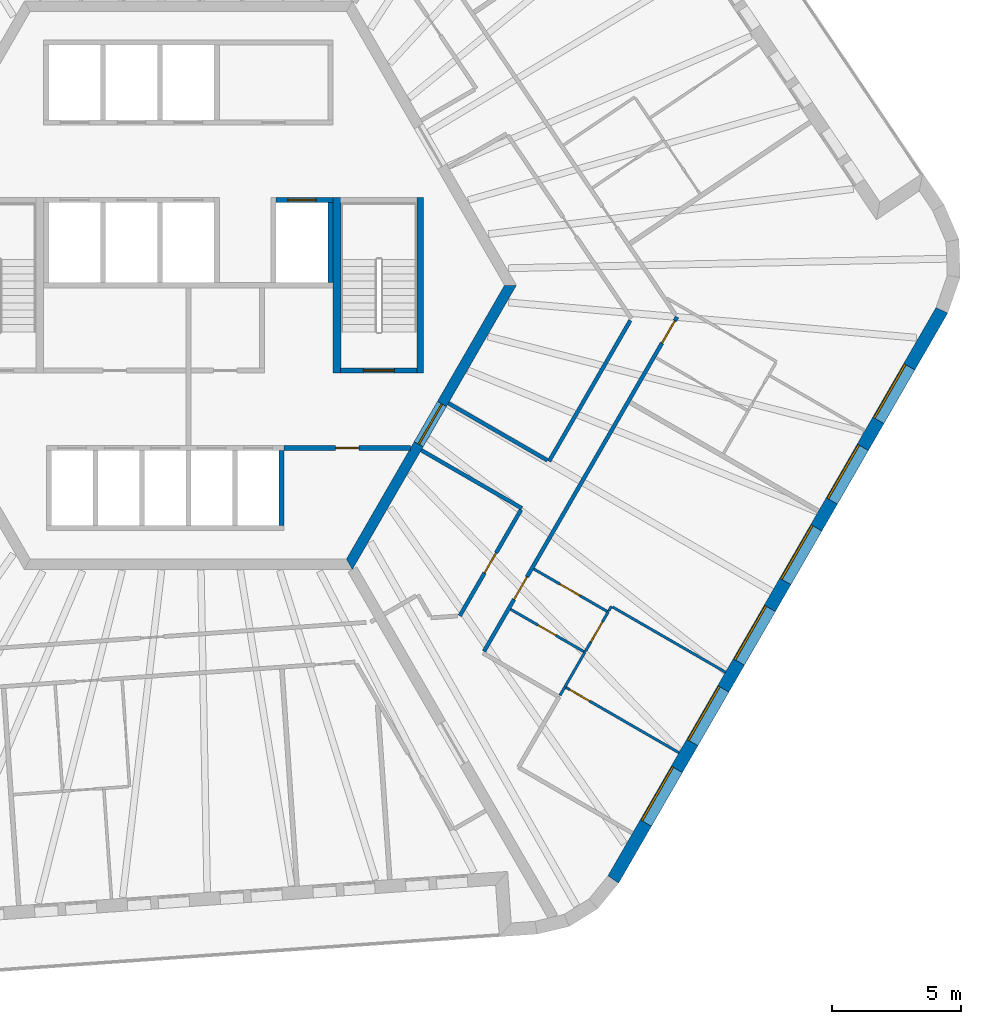
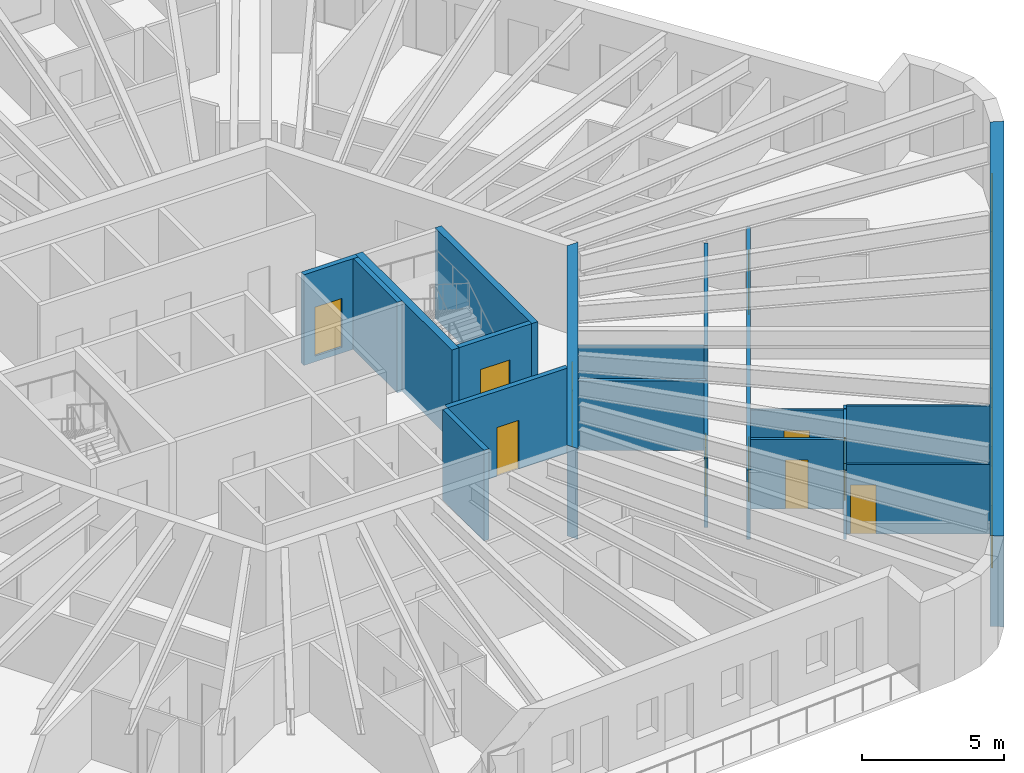
# One storey, part 6 of 12: 22 walls, 11 doors, 6 windows, 17 openings.
"""IFC4 building model written with IfcOpenShell, lengths in metres."""

import ifcopenshell
import ifcopenshell.guid

model = None  # the IFC model being written
_history = None  # IfcOwnerHistory: only IFC2X3 demands one
_inside = {}  # id of a spatial element -> (the spatial element, [elements in it])
_under = {}  # id of a project, library or spatial element -> (it, [spatial elements below it])
_declared = {}  # id of a project -> (the project, [libraries it declares])
_typed = {}  # id of a type object -> (the type object, [elements of that type])
_made_of = {}  # id of a material, layer set ... -> (it, [elements and type objects made of it])


def new_model(schema):
    """Start an empty IFC model of exactly this schema.

    Asked for "IFC4X3", IfcOpenShell would pick the latest addendum, in which some entities
    have other attributes; the version numbers below select the first issue.
    IFC2X3 requires an IfcOwnerHistory on every rooted entity: one is made here for all.
    """
    global model, _history
    if schema == "IFC4X3":
        model = ifcopenshell.file(schema_version=(4, 3, 0, 0))
    else:
        model = ifcopenshell.file(schema=schema)
    _inside.clear()
    _under.clear()
    _declared.clear()
    _typed.clear()
    _made_of.clear()
    _history = None
    if model.schema == "IFC2X3":
        org = make("IfcOrganization", Name="unknown")
        user = make(
            "IfcPersonAndOrganization",
            ThePerson=make("IfcPerson", FamilyName="unknown"),
            TheOrganization=org,
        )
        app = make(
            "IfcApplication",
            ApplicationDeveloper=org,
            Version="unknown",
            ApplicationFullName="unknown",
            ApplicationIdentifier="unknown",
        )
        _history = make(
            "IfcOwnerHistory",
            OwningUser=user,
            OwningApplication=app,
            ChangeAction="ADDED",
            CreationDate=0,
        )
    return model


def make(cls, **values):
    """One entity of the class cls with the attributes given. An attribute that is None is left unset."""
    return model.create_entity(
        cls, **{name: value for name, value in values.items() if value is not None}
    )


def rooted(cls, **values):
    """An entity with a GlobalId (a new one), such as an element, a storey or a relation."""
    return make(cls, GlobalId=ifcopenshell.guid.new(), OwnerHistory=_history, **values)


def si_unit(unit_type, name, prefix=None):
    """IfcSIUnit, for example si_unit("LENGTHUNIT", "METRE", prefix="MILLI")."""
    return make("IfcSIUnit", UnitType=unit_type, Prefix=prefix, Name=name)


def assignment(units):
    """IfcUnitAssignment: the units of a project."""
    return None if units is None else make("IfcUnitAssignment", Units=units)


def point(xyz):
    """IfcCartesianPoint."""
    return None if xyz is None else make("IfcCartesianPoint", Coordinates=xyz)


def direction(xyz):
    """IfcDirection."""
    return None if xyz is None else make("IfcDirection", DirectionRatios=xyz)


def frame(location, z_axis=None, x_axis=None):
    """IfcAxis2Placement3D, a coordinate frame: its origin and axes. An axis left out is left unset."""
    return make(
        "IfcAxis2Placement3D",
        Location=point(location),
        Axis=direction(z_axis),
        RefDirection=direction(x_axis),
    )


def frame_2d(location, x_axis=None):
    """IfcAxis2Placement2D, a coordinate frame in the plane: its origin and x axis."""
    return make(
        "IfcAxis2Placement2D", Location=point(location), RefDirection=direction(x_axis)
    )


def origin():
    """The frame at (0, 0, 0) with its axes left unset."""
    return frame((0.0, 0.0, 0.0))


def place(relative_to, where):
    """IfcLocalPlacement: puts the frame where relative to a parent placement (None: the world)."""
    return make(
        "IfcLocalPlacement", PlacementRelTo=relative_to, RelativePlacement=where
    )


def context(
    kind, dimensions, precision=None, world=None, true_north=None, identifier=None
):
    """IfcGeometricRepresentationContext, for example the 3D "Model" context."""
    return make(
        "IfcGeometricRepresentationContext",
        ContextIdentifier=identifier,
        ContextType=kind,
        CoordinateSpaceDimension=dimensions,
        Precision=precision,
        WorldCoordinateSystem=world,
        TrueNorth=true_north,
    )


def subcontext(parent, identifier, kind, view, scale=None):
    """IfcGeometricRepresentationSubContext, for example "Body" below "Model"."""
    return make(
        "IfcGeometricRepresentationSubContext",
        ContextIdentifier=identifier,
        ContextType=kind,
        ParentContext=parent,
        TargetScale=scale,
        TargetView=view,
    )


def project(units=None, contexts=None):
    """IfcProject with its units and contexts."""
    return rooted(
        "IfcProject",
        Name="project",
        RepresentationContexts=contexts,
        UnitsInContext=assignment(units),
    )


def spatial(cls, under=None, at=None, **own):
    """A site, building, storey or space (cls), placed at a placement, below another one or the project."""
    s = rooted(cls, ObjectPlacement=at, **own)
    if under is not None:
        _under.setdefault(under.id(), (under, []))[1].append(s)
    return s


def polyline(points):
    """IfcPolyline through the points."""
    return make("IfcPolyline", Points=[point(p) for p in points])


def profile(cls, at=None, kind="AREA", **sizes):
    """A parametric profile (cls). Its sizes go by their IFC names, for example OverallWidth=200.0."""
    return make(cls, ProfileType=kind, Position=at, **sizes)


def rectangle(**sizes):
    """IfcRectangleProfileDef."""
    return profile("IfcRectangleProfileDef", **sizes)


def outline(outer, holes=None, kind="AREA"):
    """IfcArbitraryClosedProfileDef: a profile drawn as a closed curve; with holes, ...WithVoids."""
    if holes is None:
        return make("IfcArbitraryClosedProfileDef", ProfileType=kind, OuterCurve=outer)
    return make(
        "IfcArbitraryProfileDefWithVoids",
        ProfileType=kind,
        OuterCurve=outer,
        InnerCurves=holes,
    )


def extrude(swept, where, along, depth):
    """IfcExtrudedAreaSolid: the profile swept, set in the frame where, extruded along a direction by depth."""
    return make(
        "IfcExtrudedAreaSolid",
        SweptArea=swept,
        Position=where,
        ExtrudedDirection=direction(along),
        Depth=depth,
    )


def shape(context_of_items, identifier, shape_type, items):
    """IfcShapeRepresentation: the items that make up one representation, for example the "Body"."""
    return make(
        "IfcShapeRepresentation",
        ContextOfItems=context_of_items,
        RepresentationIdentifier=identifier,
        RepresentationType=shape_type,
        Items=items,
    )


def material(Name=None, Category=None):
    """IfcMaterial."""
    return make("IfcMaterial", Name=Name, Category=Category)


def layer(
    of_material, thickness, ventilated=None, Name=None, Category=None, Priority=None
):
    """IfcMaterialLayer: one layer of a wall or slab, of a material (None: an air gap)."""
    return make(
        "IfcMaterialLayer",
        Material=of_material,
        LayerThickness=thickness,
        IsVentilated=ventilated,
        Name=Name,
        Category=Category,
        Priority=Priority,
    )


def layer_set(layers, Name=None):
    """IfcMaterialLayerSet."""
    return make("IfcMaterialLayerSet", MaterialLayers=layers, LayerSetName=Name)


def made_of(thing, what):
    """Note that an element or type object is made of a material, layer set ...; save() writes the relation."""
    if what is not None:
        _made_of.setdefault(what.id(), (what, []))[1].append(thing)
    return thing


def type_object(cls, material=None, **own):
    """A type object (cls), such as IfcWallType, which elements share."""
    return made_of(rooted(cls, **own), material)


def element(
    cls,
    number,
    at=None,
    inside=None,
    cuts=None,
    type_object=None,
    material=None,
    context=None,
    identifier="Body",
    shape_type=None,
    held_by="IfcProductDefinitionShape",
    body=None,
    shapes=None,
    **own,
):
    """One element of the class cls, such as IfcWall. Its Tag is "e" and its number.

    at: its placement. inside: the storey or other place that contains it. cuts: it is an
    opening in that element (IfcRelVoidsElement). A single representation is given by context,
    identifier, shape_type and body (its items); several are given by shapes. held_by: the class
    of the entity that holds the representations. save() writes the other relations.
    """
    e = rooted(cls, Tag="e%d" % number, ObjectPlacement=at, **own)
    if body is not None:
        shapes = [shape(context, identifier, shape_type, body)]
    if shapes is not None:
        e.Representation = make(held_by, Representations=shapes)
    if inside is not None:
        _inside.setdefault(inside.id(), (inside, []))[1].append(e)
    if cuts is not None:
        rooted(
            "IfcRelVoidsElement", RelatingBuildingElement=cuts, RelatedOpeningElement=e
        )
    if type_object is not None:
        _typed.setdefault(type_object.id(), (type_object, []))[1].append(e)
    return made_of(e, material)


def fill(opening, filler):
    """IfcRelFillsElement: the door or window that sits in an opening."""
    return rooted(
        "IfcRelFillsElement",
        RelatingOpeningElement=opening,
        RelatedBuildingElement=filler,
    )


def aggregate(whole, parts):
    """IfcRelAggregates: a whole, such as a stair, and the parts it consists of."""
    return rooted("IfcRelAggregates", RelatingObject=whole, RelatedObjects=parts)


def save(model, path):
    """Write the relations noted so far, then the file.

    IfcRelAggregates (storeys below a building ...), IfcRelContainedInSpatialStructure (elements
    in a storey), IfcRelDefinesByType, IfcRelAssociatesMaterial and IfcRelDeclares: one each for
    every whole, place, type object, material and project.
    """
    for whole, parts in _under.values():
        aggregate(whole, parts)
    for where, things in _inside.values():
        rooted(
            "IfcRelContainedInSpatialStructure",
            RelatedElements=things,
            RelatingStructure=where,
        )
    for kind, things in _typed.values():
        rooted("IfcRelDefinesByType", RelatedObjects=things, RelatingType=kind)
    for what, things in _made_of.values():
        rooted("IfcRelAssociatesMaterial", RelatedObjects=things, RelatingMaterial=what)
    for by, libraries in _declared.values():
        rooted("IfcRelDeclares", RelatingContext=by, RelatedDefinitions=libraries)
    model.write(path)


model = new_model("IFC4")

# Units and contexts
model_context = context("Model", 3, precision=1e-05, world=origin(), true_north=direction((0.0, 1.0)))
body_context = subcontext(model_context, "Body", "Model", "MODEL_VIEW")
ifc_project = project(units=[si_unit("LENGTHUNIT", "METRE"), si_unit("AREAUNIT", "SQUARE_METRE"), si_unit("VOLUMEUNIT", "CUBIC_METRE"), si_unit("PLANEANGLEUNIT", "RADIAN"), si_unit("MASSUNIT", "GRAM", prefix="KILO")], contexts=[model_context])

# Site, building, storey
site_placement = place(None, origin())
site = spatial("IfcSite", under=ifc_project, at=site_placement, CompositionType="ELEMENT")
building_placement = place(site_placement, origin())
building = spatial("IfcBuilding", under=site, at=building_placement, Name="Tarnside Tower", CompositionType="ELEMENT")
storey_placement = place(building_placement, frame((0.0, 0.0, 306.89990234375)))
storey = spatial("IfcBuildingStorey", under=building, at=storey_placement, Name="L74", CompositionType="ELEMENT", Elevation=306.89990234375)

# Wall, opening, door
ifc_material_1 = material(Name="Gypsum board partition on steel studs", Category="steel")
ifc_layer_1 = layer(ifc_material_1, 0.10009765625)
ifc_layer_set_1 = layer_set([ifc_layer_1], Name="Bathroom wall 100")
wall_type_1 = type_object("IfcWallType", Name="Bathroom wall 100", PredefinedType="PARTITIONING", material=ifc_layer_set_1)
wall_1_placement = place(storey_placement, frame((12.47412109375, -12.544189453125, 0.0), z_axis=(0.0, 0.0, 1.0), x_axis=(0.866002163101, -0.500040251884, 0.0)))
wall_1 = element("IfcWall", 1, at=wall_1_placement, inside=storey, type_object=wall_type_1, Name="Bathroom wall 24146", PredefinedType="PARTITIONING", context=body_context, shape_type="SweptSolid", body=[
    extrude(rectangle(XDim=3.324951171875, YDim=0.10009765625, at=frame_2d((1.66259765625, 0.0))), origin(), (0.0, 0.0, 1.0), 2.98779296875),
])
opening_1_placement = place(wall_1_placement, frame((1.22509765625, 0.0, 0.0)))
opening_1 = element("IfcOpeningElement", 2, at=opening_1_placement, cuts=wall_1, Name="Opening D-B1", PredefinedType="OPENING", context=body_context, shape_type="SweptSolid", body=[
    extrude(rectangle(XDim=0.800048828125, YDim=2.10009765625, at=frame_2d((0.39990234375, 1.050048828125))), frame((0.0, 0.06005859375, 0.0), z_axis=(0.0, -1.0, 0.0), x_axis=(1.0, 0.0, 0.0)), (0.0, 0.0, 1.0), 0.1201171875),
])
ifc_material_2 = material(Name="Timber door leaf", Category="wood")
door_type_1 = type_object("IfcDoorType", Name="Bathroom door 800", OperationType="NOTDEFINED", PredefinedType="DOOR", material=ifc_material_2)
door_1_placement = place(opening_1_placement, origin())
door_1 = element("IfcDoor", 3, at=door_1_placement, inside=storey, type_object=door_type_1, Name="Bathroom door 24044", OperationType="SINGLE_SWING_RIGHT", OverallHeight=2.10009765625, OverallWidth=0.800048828125, PredefinedType="DOOR", context=body_context, shape_type="SweptSolid", body=[
    extrude(rectangle(XDim=0.800048828125, YDim=2.10009765625, at=frame_2d((0.39990234375, 1.050048828125))), frame((0.0, 0.02490234375, 0.0), z_axis=(0.0, -1.0, 0.0), x_axis=(1.0, 0.0, 0.0)), (0.0, 0.0, 1.0), 0.050048828125),
])
fill(opening_1, door_1)

# Walls
wall_2_placement = place(storey_placement, frame((14.39013671875, -15.87548828125, 0.0), z_axis=(0.0, 0.0, 1.0), x_axis=(0.500094824054, 0.865970650169, 0.0)))
element("IfcWall", 4, at=wall_2_placement, inside=storey, type_object=wall_type_1, Name="Bathroom wall 24148", PredefinedType="PARTITIONING", context=body_context, shape_type="SweptSolid", body=[
    extrude(rectangle(XDim=0.37841796875, YDim=0.10009765625, at=frame_2d((0.189208984375, 0.0))), origin(), (0.0, 0.0, 1.0), 2.98779296875),
])
wall_3_placement = place(storey_placement, frame((14.579345703125, -15.5478515625, 0.0), z_axis=(0.0, 0.0, 1.0), x_axis=(0.499949632511, 0.866054481515, 0.0)))
element("IfcWall", 5, at=wall_3_placement, inside=storey, type_object=wall_type_1, Name="Bathroom wall 24149", PredefinedType="PARTITIONING", context=body_context, shape_type="SweptSolid", body=[
    extrude(rectangle(XDim=1.550537109375, YDim=0.10009765625, at=frame_2d((0.775390625, 0.0))), origin(), (0.0, 0.0, 1.0), 2.98779296875),
])

# Wall, opening, door
ifc_material_3 = material(Name="Concrete C40/50", Category="concrete")
ifc_layer_2 = layer(ifc_material_3, 0.199951171875)
ifc_layer_set_2 = layer_set([ifc_layer_2], Name="Core room partition 200 C40/50")
wall_type_2 = type_object("IfcWallType", Name="Core room partition 200 C40/50", PredefinedType="PARTITIONING", material=ifc_layer_set_2)
wall_4_placement = place(storey_placement, frame((3.699951171875, -6.300048828125, 0.0), z_axis=(0.0, 0.0, 1.0), x_axis=(1.0, 0.0, 0.0)))
wall_4 = element("IfcWall", 6, at=wall_4_placement, inside=storey, type_object=wall_type_2, Name="L74 core partition R4X", PredefinedType="PARTITIONING", context=body_context, shape_type="SweptSolid", body=[
    extrude(rectangle(XDim=4.902587890625, YDim=0.199951171875, at=frame_2d((2.451171875, 0.0))), origin(), (0.0, 0.0, 1.0), 3.650146484375),
])
opening_2_placement = place(wall_4_placement, frame((2.001220703125, 0.0, 0.0)))
opening_2 = element("IfcOpeningElement", 7, at=opening_2_placement, cuts=wall_4, Name="Opening CD-room", PredefinedType="OPENING", context=body_context, shape_type="SweptSolid", body=[
    extrude(rectangle(XDim=0.89990234375, YDim=2.10009765625, at=frame_2d((0.449951171875, 1.050048828125))), frame((0.0, 0.10986328125, 0.0), z_axis=(0.0, -1.0, 0.0), x_axis=(1.0, 0.0, 0.0)), (0.0, 0.0, 1.0), 0.219970703125),
])
ifc_material_4 = material(Name="Steel fire door", Category="steel")
door_type_2 = type_object("IfcDoorType", Name="Room door FD60 900x2100", OperationType="NOTDEFINED", PredefinedType="DOOR", material=ifc_material_4)
door_2_placement = place(opening_2_placement, origin())
door_2 = element("IfcDoor", 8, at=door_2_placement, inside=storey, type_object=door_type_2, Name="L74 core room door RX", OperationType="SINGLE_SWING_LEFT", OverallHeight=2.10009765625, OverallWidth=0.89990234375, PredefinedType="DOOR", context=body_context, shape_type="SweptSolid", body=[
    extrude(rectangle(XDim=0.89990234375, YDim=2.10009765625, at=frame_2d((0.449951171875, 1.050048828125))), frame((0.0, 0.02490234375, 0.0), z_axis=(0.0, -1.0, 0.0), x_axis=(1.0, 0.0, 0.0)), (0.0, 0.0, 1.0), 0.050048828125),
])
fill(opening_2, door_2)

ifc_material_5 = material(Name="Concrete C60/75", Category="concrete")
ifc_layer_3 = layer(ifc_material_5, 0.39990234375)
ifc_layer_set_3 = layer_set([ifc_layer_3], Name="Core wall Z3 400 C60/75")
wall_type_3 = type_object("IfcWallType", Name="Core wall Z3 400 C60/75", PredefinedType="SHEAR", material=ifc_layer_set_3)
wall_5_placement = place(storey_placement, frame((6.2353515625, -10.800048828125, -0.14990234375), z_axis=(0.0, 0.0, 1.0), x_axis=(0.499996419489, 0.866027470984, 0.0)))
wall_5 = element("IfcWall", 9, at=wall_5_placement, inside=storey, type_object=wall_type_3, Name="L74 core wall face 5", PredefinedType="SHEAR", context=body_context, shape_type="SweptSolid", body=[
    extrude(outline(polyline([(-0.115478515625, -0.199951171875), (12.586181640625, -0.199951171875), (12.355224609375, 0.199951171875), (0.115478515625, 0.199951171875), (-0.115478515625, -0.199951171875)])), origin(), (0.0, 0.0, 1.0), 3.89990234375),
])
opening_3_placement = place(wall_5_placement, frame((5.3642578125, 0.0, 0.14990234375)))
opening_3 = element("IfcOpeningElement", 10, at=opening_3_placement, cuts=wall_5, Name="Opening CD-FFL", PredefinedType="OPENING", context=body_context, shape_type="SweptSolid", body=[
    extrude(rectangle(XDim=1.800048828125, YDim=2.39990234375, at=frame_2d((0.89990234375, 1.199951171875))), frame((0.0, 0.2099609375, 0.0), z_axis=(0.0, -1.0, 0.0), x_axis=(1.0, 0.0, 0.0)), (0.0, 0.0, 1.0), 0.419921875),
])
door_type_3 = type_object("IfcDoorType", Name="Firefighting lobby double door FD60S 1800x2400", OperationType="NOTDEFINED", PredefinedType="DOOR", material=ifc_material_4)
door_3_placement = place(opening_3_placement, origin())
door_3 = element("IfcDoor", 11, at=door_3_placement, inside=storey, type_object=door_type_3, Name="L74 core door P4", OperationType="DOUBLE_DOOR_SINGLE_SWING", OverallHeight=2.39990234375, OverallWidth=1.800048828125, PredefinedType="DOOR", context=body_context, shape_type="SweptSolid", body=[
    extrude(rectangle(XDim=1.800048828125, YDim=2.39990234375, at=frame_2d((0.89990234375, 1.199951171875))), frame((0.0, 0.02490234375, 0.0), z_axis=(0.0, -1.0, 0.0), x_axis=(1.0, 0.0, 0.0)), (0.0, 0.0, 1.0), 0.050048828125),
])
fill(opening_3, door_3)

# Wall, openings, doors
ifc_layer_4 = layer(ifc_material_1, 0.14990234375)
ifc_layer_set_4 = layer_set([ifc_layer_4], Name="Corridor wall 150 EI 60")
wall_type_4 = type_object("IfcWallType", Name="Corridor wall 150 EI 60", PredefinedType="PARTITIONING", material=ifc_layer_set_4)
wall_6_placement = place(storey_placement, frame((11.446533203125, -14.173828125, 0.0), z_axis=(0.0, 0.0, 1.0), x_axis=(0.500003306199, 0.866023494941, 0.0)))
wall_6 = element("IfcWall", 12, at=wall_6_placement, inside=storey, type_object=wall_type_4, Name="Corridor wall 24054", PredefinedType="PARTITIONING", context=body_context, shape_type="SweptSolid", body=[
    extrude(rectangle(XDim=14.94921875, YDim=0.14990234375, at=frame_2d((7.474609375, 0.0))), origin(), (0.0, 0.0, 1.0), 2.98779296875),
])
opening_4_placement = place(wall_6_placement, frame((2.324951171875, 0.0, 0.0)))
opening_4 = element("IfcOpeningElement", 13, at=opening_4_placement, cuts=wall_6, Name="Opening D-E1", PredefinedType="OPENING", context=body_context, shape_type="SweptSolid", body=[
    extrude(rectangle(XDim=1.0, YDim=2.10009765625, at=frame_2d((0.5, 1.050048828125))), frame((0.0, 0.0849609375, 0.0), z_axis=(0.0, -1.0, 0.0), x_axis=(1.0, 0.0, 0.0)), (0.0, 0.0, 1.0), 0.169921875),
])
opening_5_placement = place(wall_6_placement, frame((13.7763671875, 0.0, 0.0)))
opening_5 = element("IfcOpeningElement", 14, at=opening_5_placement, cuts=wall_6, Name="Opening D-E1", PredefinedType="OPENING", context=body_context, shape_type="SweptSolid", body=[
    extrude(rectangle(XDim=1.0, YDim=2.10009765625, at=frame_2d((0.5, 1.050048828125))), frame((0.0, 0.0849609375, 0.0), z_axis=(0.0, -1.0, 0.0), x_axis=(1.0, 0.0, 0.0)), (0.0, 0.0, 1.0), 0.169921875),
])
door_type_4 = type_object("IfcDoorType", Name="Unit entrance door 1000 FD30S", OperationType="NOTDEFINED", PredefinedType="DOOR", material=ifc_material_2)
door_4_placement = place(opening_4_placement, origin())
door_4 = element("IfcDoor", 15, at=door_4_placement, inside=storey, type_object=door_type_4, Name="Unit door 24043", OperationType="SINGLE_SWING_LEFT", OverallHeight=2.10009765625, OverallWidth=1.0, PredefinedType="DOOR", context=body_context, shape_type="SweptSolid", body=[
    extrude(rectangle(XDim=1.0, YDim=2.10009765625, at=frame_2d((0.5, 1.050048828125))), frame((0.0, 0.02490234375, 0.0), z_axis=(0.0, -1.0, 0.0), x_axis=(1.0, 0.0, 0.0)), (0.0, 0.0, 1.0), 0.050048828125),
])
fill(opening_4, door_4)
door_5_placement = place(opening_5_placement, origin())
door_5 = element("IfcDoor", 16, at=door_5_placement, inside=storey, type_object=door_type_4, Name="Unit door 24050", OperationType="SINGLE_SWING_LEFT", OverallHeight=2.10009765625, OverallWidth=1.0, PredefinedType="DOOR", context=body_context, shape_type="SweptSolid", body=[
    extrude(rectangle(XDim=1.0, YDim=2.10009765625, at=frame_2d((0.5, 1.050048828125))), frame((0.0, 0.02490234375, 0.0), z_axis=(0.0, -1.0, 0.0), x_axis=(1.0, 0.0, 0.0)), (0.0, 0.0, 1.0), 0.050048828125),
])
fill(opening_5, door_5)

# Walls
wall_7_placement = place(storey_placement, frame((17.11181640625, -1.361572265625, 0.0), z_axis=(0.0, 0.0, 1.0), x_axis=(-0.49999985423, -0.866025487945, 0.0)))
element("IfcWall", 17, at=wall_7_placement, inside=storey, type_object=wall_type_4, Name="Corridor wall 24073", PredefinedType="PARTITIONING", context=body_context, shape_type="SweptSolid", body=[
    extrude(rectangle(XDim=6.2978515625, YDim=0.14990234375, at=frame_2d((3.14892578125, 0.0))), origin(), (0.0, 0.0, 1.0), 2.98779296875),
])
wall_8_placement = place(storey_placement, frame((13.89794921875, -6.778076171875, 0.0), z_axis=(0.0, 0.0, 1.0), x_axis=(-0.866041342403, 0.499972392486, 0.0)))
element("IfcWall", 18, at=wall_8_placement, inside=storey, type_object=wall_type_4, Name="Corridor wall 24074", PredefinedType="PARTITIONING", context=body_context, shape_type="SweptSolid", body=[
    extrude(rectangle(XDim=4.425048828125, YDim=0.14990234375, at=frame_2d((2.21240234375, 0.0))), origin(), (0.0, 0.0, 1.0), 2.98779296875),
])
wall_9_placement = place(storey_placement, frame((9.015625, -6.38427734375, 0.0), z_axis=(0.0, 0.0, 1.0), x_axis=(0.866031096941, -0.499990139034, 0.0)))
element("IfcWall", 19, at=wall_9_placement, inside=storey, type_object=wall_type_4, Name="Corridor wall 24075", PredefinedType="PARTITIONING", context=body_context, shape_type="SweptSolid", body=[
    extrude(rectangle(XDim=4.5, YDim=0.14990234375, at=frame_2d((2.25, 0.0))), origin(), (0.0, 0.0, 1.0), 2.98779296875),
])

# Wall, opening, door
wall_10_placement = place(storey_placement, frame((12.875244140625, -8.69921875, 0.0), z_axis=(0.0, 0.0, 1.0), x_axis=(-0.49999482868, -0.866028389427, 0.0)))
wall_10 = element("IfcWall", 20, at=wall_10_placement, inside=storey, type_object=wall_type_4, Name="Corridor wall 24076", PredefinedType="PARTITIONING", context=body_context, shape_type="SweptSolid", body=[
    extrude(rectangle(XDim=4.73291015625, YDim=0.14990234375, at=frame_2d((2.366455078125, 0.0))), origin(), (0.0, 0.0, 1.0), 2.98779296875),
])
opening_6_placement = place(wall_10_placement, frame((1.91650390625, 0.0, 0.0)))
opening_6 = element("IfcOpeningElement", 21, at=opening_6_placement, cuts=wall_10, Name="Opening D-S1", PredefinedType="OPENING", context=body_context, shape_type="SweptSolid", body=[
    extrude(rectangle(XDim=0.89990234375, YDim=2.10009765625, at=frame_2d((0.449951171875, 1.050048828125))), frame((0.0, 0.0849609375, 0.0), z_axis=(0.0, -1.0, 0.0), x_axis=(1.0, 0.0, 0.0)), (0.0, 0.0, 1.0), 0.169921875),
])
door_type_5 = type_object("IfcDoorType", Name="Service room door 900 FD30S", OperationType="NOTDEFINED", PredefinedType="DOOR", material=ifc_material_2)
door_6_placement = place(opening_6_placement, origin())
door_6 = element("IfcDoor", 22, at=door_6_placement, inside=storey, type_object=door_type_5, Name="Service door 24068", OperationType="SINGLE_SWING_LEFT", OverallHeight=2.10009765625, OverallWidth=0.89990234375, PredefinedType="DOOR", context=body_context, shape_type="SweptSolid", body=[
    extrude(rectangle(XDim=0.89990234375, YDim=2.10009765625, at=frame_2d((0.449951171875, 1.050048828125))), frame((0.0, 0.02490234375, 0.0), z_axis=(0.0, -1.0, 0.0), x_axis=(1.0, 0.0, 0.0)), (0.0, 0.0, 1.0), 0.050048828125),
])
fill(opening_6, door_6)

ifc_layer_5 = layer(ifc_material_3, 0.199951171875)
ifc_layer_set_5 = layer_set([ifc_layer_5], Name="Lift shaft wall 200 C40/50")
wall_type_5 = type_object("IfcWallType", Name="Lift shaft wall 200 C40/50", PredefinedType="SHEAR", material=ifc_layer_set_5)
wall_11_placement = place(storey_placement, frame((3.39990234375, 3.300048828125, -0.25), z_axis=(0.0, 0.0, 1.0), x_axis=(1.0, 0.0, 0.0)))
wall_11 = element("IfcWall", 23, at=wall_11_placement, inside=storey, type_object=wall_type_5, Name="L74 lift shaft front wall R2 2", PredefinedType="SHEAR", context=body_context, shape_type="SweptSolid", body=[
    extrude(rectangle(XDim=2.2001953125, YDim=0.199951171875, at=frame_2d((1.10009765625, 0.0))), origin(), (0.0, 0.0, 1.0), 3.900146484375),
])
opening_7_placement = place(wall_11_placement, frame((0.449951171875, 0.0, 0.25)))
opening_7 = element("IfcOpeningElement", 24, at=opening_7_placement, cuts=wall_11, Name="Opening LD", PredefinedType="OPENING", context=body_context, shape_type="SweptSolid", body=[
    extrude(rectangle(XDim=1.10009765625, YDim=2.10009765625, at=frame_2d((0.550048828125, 1.050048828125))), frame((0.0, 0.10986328125, 0.0), z_axis=(0.0, -1.0, 0.0), x_axis=(1.0, 0.0, 0.0)), (0.0, 0.0, 1.0), 0.219970703125),
])
ifc_material_6 = material(Name="Stainless steel", Category="steel")
door_type_6 = type_object("IfcDoorType", Name="Lift landing door 1100x2100", OperationType="NOTDEFINED", PredefinedType="DOOR", material=ifc_material_6)
door_7_placement = place(opening_7_placement, origin())
door_7 = element("IfcDoor", 25, at=door_7_placement, inside=storey, type_object=door_type_6, Name="Express sky-lobby shuttle 2 landing door L74", OperationType="SLIDING_TO_LEFT", OverallHeight=2.10009765625, OverallWidth=1.10009765625, PredefinedType="DOOR", context=body_context, shape_type="SweptSolid", body=[
    extrude(rectangle(XDim=1.10009765625, YDim=2.10009765625, at=frame_2d((0.550048828125, 1.050048828125))), frame((0.0, 0.02490234375, 0.0), z_axis=(0.0, -1.0, 0.0), x_axis=(1.0, 0.0, 0.0)), (0.0, 0.0, 1.0), 0.050048828125),
])
fill(opening_7, door_7)

# Walls
wall_12_placement = place(storey_placement, frame((5.5, 0.10009765625, -0.25), z_axis=(0.0, 0.0, 1.0), x_axis=(0.0, 1.0, 0.0)))
element("IfcWall", 26, at=wall_12_placement, inside=storey, type_object=wall_type_5, Name="L74 lift shaft partition R26", PredefinedType="SHEAR", context=body_context, shape_type="SweptSolid", body=[
    extrude(rectangle(XDim=3.099853515625, YDim=0.199951171875, at=frame_2d((1.5498046875, 0.0))), origin(), (0.0, 0.0, 1.0), 3.900146484375),
])
wall_13_placement = place(storey_placement, frame((3.60009765625, -9.300048828125, -0.25), z_axis=(0.0, 0.0, 1.0), x_axis=(0.0, 1.0, 0.0)))
element("IfcWall", 27, at=wall_13_placement, inside=storey, type_object=wall_type_5, Name="L74 lift shaft partition R46", PredefinedType="SHEAR", context=body_context, shape_type="SweptSolid", body=[
    extrude(rectangle(XDim=2.900146484375, YDim=0.199951171875, at=frame_2d((1.4501953125, 0.0))), origin(), (0.0, 0.0, 1.0), 3.900146484375),
])

# Wall, opening, door
wall_14_placement = place(storey_placement, frame((5.89990234375, -3.300048828125, -0.25), z_axis=(0.0, 0.0, 1.0), x_axis=(1.0, 0.0, 0.0)))
wall_14 = element("IfcWall", 28, at=wall_14_placement, inside=storey, type_object=wall_type_5, Name="L74 stair 1 enclosure cap wall s", PredefinedType="SHEAR", context=body_context, shape_type="SweptSolid", body=[
    extrude(rectangle(XDim=2.9501953125, YDim=0.199951171875, at=frame_2d((1.47509765625, 0.0))), origin(), (0.0, 0.0, 1.0), 3.900146484375),
])
opening_8_placement = place(wall_14_placement, frame((0.875, 0.0, 0.25)))
opening_8 = element("IfcOpeningElement", 29, at=opening_8_placement, cuts=wall_14, Name="Opening CD-STR", PredefinedType="OPENING", context=body_context, shape_type="SweptSolid", body=[
    extrude(rectangle(XDim=1.199951171875, YDim=2.39990234375, at=frame_2d((0.60009765625, 1.199951171875))), frame((0.0, 0.10986328125, 0.0), z_axis=(0.0, -1.0, 0.0), x_axis=(1.0, 0.0, 0.0)), (0.0, 0.0, 1.0), 0.219970703125),
])
door_type_7 = type_object("IfcDoorType", Name="Stair door FD60S 1200x2400", OperationType="NOTDEFINED", PredefinedType="DOOR", material=ifc_material_4)
door_8_placement = place(opening_8_placement, origin())
door_8 = element("IfcDoor", 30, at=door_8_placement, inside=storey, type_object=door_type_7, Name="L74 stair 1 door", OperationType="SINGLE_SWING_LEFT", OverallHeight=2.39990234375, OverallWidth=1.199951171875, PredefinedType="DOOR", context=body_context, shape_type="SweptSolid", body=[
    extrude(rectangle(XDim=1.199951171875, YDim=2.39990234375, at=frame_2d((0.60009765625, 1.199951171875))), frame((0.0, 0.02490234375, 0.0), z_axis=(0.0, -1.0, 0.0), x_axis=(1.0, 0.0, 0.0)), (0.0, 0.0, 1.0), 0.050048828125),
])
fill(opening_8, door_8)

ifc_layer_6 = layer(ifc_material_1, 0.10009765625)
ifc_layer_set_6 = layer_set([ifc_layer_6], Name="Partition 100")
wall_type_6 = type_object("IfcWallType", Name="Partition 100", PredefinedType="PARTITIONING", material=ifc_layer_set_6)
wall_15_placement = place(storey_placement, frame((13.3740234375, -10.9853515625, 0.0), z_axis=(0.0, 0.0, 1.0), x_axis=(0.866020521143, -0.500008456887, 0.0)))
wall_15 = element("IfcWall", 31, at=wall_15_placement, inside=storey, type_object=wall_type_6, Name="Partition wall 24141", PredefinedType="PARTITIONING", context=body_context, shape_type="SweptSolid", body=[
    extrude(rectangle(XDim=3.3251953125, YDim=0.10009765625, at=frame_2d((1.66259765625, 0.0))), origin(), (0.0, 0.0, 1.0), 2.98779296875),
])
opening_9_placement = place(wall_15_placement, frame((1.175048828125, 0.0, 0.0)))
opening_9 = element("IfcOpeningElement", 32, at=opening_9_placement, cuts=wall_15, Name="Opening D-I1", PredefinedType="OPENING", context=body_context, shape_type="SweptSolid", body=[
    extrude(rectangle(XDim=0.89990234375, YDim=2.10009765625, at=frame_2d((0.449951171875, 1.050048828125))), frame((0.0, 0.06005859375, 0.0), z_axis=(0.0, -1.0, 0.0), x_axis=(1.0, 0.0, 0.0)), (0.0, 0.0, 1.0), 0.1201171875),
])
door_type_8 = type_object("IfcDoorType", Name="Internal door 900", OperationType="NOTDEFINED", PredefinedType="DOOR", material=ifc_material_2)
door_9_placement = place(opening_9_placement, origin())
door_9 = element("IfcDoor", 33, at=door_9_placement, inside=storey, type_object=door_type_8, Name="Internal door 24045", OperationType="SINGLE_SWING_RIGHT", OverallHeight=2.10009765625, OverallWidth=0.89990234375, PredefinedType="DOOR", context=body_context, shape_type="SweptSolid", body=[
    extrude(rectangle(XDim=0.89990234375, YDim=2.10009765625, at=frame_2d((0.449951171875, 1.050048828125))), frame((0.0, 0.02490234375, 0.0), z_axis=(0.0, -1.0, 0.0), x_axis=(1.0, 0.0, 0.0)), (0.0, 0.0, 1.0), 0.050048828125),
])
fill(opening_9, door_9)

# Walls
wall_16_placement = place(storey_placement, frame((16.277587890625, -12.6064453125, 0.0), z_axis=(0.0, 0.0, 1.0), x_axis=(0.500137716533, 0.865945878506, 0.0)))
element("IfcWall", 34, at=wall_16_placement, inside=storey, type_object=wall_type_6, Name="Partition wall 24142", PredefinedType="PARTITIONING", context=body_context, shape_type="SweptSolid", body=[
    extrude(rectangle(XDim=0.20361328125, YDim=0.10009765625, at=frame_2d((0.101806640625, 0.0))), origin(), (0.0, 0.0, 1.0), 2.98779296875),
])
wall_17_placement = place(storey_placement, frame((16.422607421875, -12.455078125, 0.0), z_axis=(0.0, 0.0, 1.0), x_axis=(0.866018134068, -0.500012591307, 0.0)))
element("IfcWall", 35, at=wall_17_placement, inside=storey, type_object=wall_type_6, Name="Partition wall 24143", PredefinedType="PARTITIONING", context=body_context, shape_type="SweptSolid", body=[
    extrude(rectangle(XDim=5.050048828125, YDim=0.10009765625, at=frame_2d((2.52490234375, 0.0))), origin(), (0.0, 0.0, 1.0), 2.98779296875),
])

# Wall, opening, door
wall_18_placement = place(storey_placement, frame((15.377685546875, -14.165283203125, 0.0), z_axis=(0.0, 0.0, 1.0), x_axis=(0.499971461383, 0.866041879935, 0.0)))
wall_18 = element("IfcWall", 36, at=wall_18_placement, inside=storey, type_object=wall_type_6, Name="Partition wall 24147", PredefinedType="PARTITIONING", context=body_context, shape_type="SweptSolid", body=[
    extrude(rectangle(XDim=1.75390625, YDim=0.10009765625, at=frame_2d((0.876953125, 0.0))), origin(), (0.0, 0.0, 1.0), 2.98779296875),
])
opening_10_placement = place(wall_18_placement, frame((0.402099609375, 0.0, 0.0)))
opening_10 = element("IfcOpeningElement", 37, at=opening_10_placement, cuts=wall_18, Name="Opening D-I1", PredefinedType="OPENING", context=body_context, shape_type="SweptSolid", body=[
    extrude(rectangle(XDim=0.89990234375, YDim=2.10009765625, at=frame_2d((0.449951171875, 1.050048828125))), frame((0.0, 0.06005859375, 0.0), z_axis=(0.0, -1.0, 0.0), x_axis=(1.0, 0.0, 0.0)), (0.0, 0.0, 1.0), 0.1201171875),
])
door_10_placement = place(opening_10_placement, origin())
door_10 = element("IfcDoor", 38, at=door_10_placement, inside=storey, type_object=door_type_8, Name="Internal door 24049", OperationType="SINGLE_SWING_RIGHT", OverallHeight=2.10009765625, OverallWidth=0.89990234375, PredefinedType="DOOR", context=body_context, shape_type="SweptSolid", body=[
    extrude(rectangle(XDim=0.89990234375, YDim=2.10009765625, at=frame_2d((0.449951171875, 1.050048828125))), frame((0.0, 0.02490234375, 0.0), z_axis=(0.0, -1.0, 0.0), x_axis=(1.0, 0.0, 0.0)), (0.0, 0.0, 1.0), 0.050048828125),
])
fill(opening_10, door_10)

wall_19_placement = place(storey_placement, frame((18.99609375, -18.097900390625, 0.0), z_axis=(0.0, 0.0, 1.0), x_axis=(-0.866039067339, 0.499976333282, 0.0)))
wall_19 = element("IfcWall", 39, at=wall_19_placement, inside=storey, type_object=wall_type_6, Name="Partition wall 24150", PredefinedType="PARTITIONING", context=body_context, shape_type="SweptSolid", body=[
    extrude(rectangle(XDim=5.050048828125, YDim=0.10009765625, at=frame_2d((2.52490234375, 0.0))), origin(), (0.0, 0.0, 1.0), 2.98779296875),
])
opening_11_placement = place(wall_19_placement, frame((4.0, 0.0, 0.0)))
opening_11 = element("IfcOpeningElement", 40, at=opening_11_placement, cuts=wall_19, Name="Opening D-I1", PredefinedType="OPENING", context=body_context, shape_type="SweptSolid", body=[
    extrude(rectangle(XDim=0.89990234375, YDim=2.10009765625, at=frame_2d((0.449951171875, 1.050048828125))), frame((0.0, 0.06005859375, 0.0), z_axis=(0.0, -1.0, 0.0), x_axis=(1.0, 0.0, 0.0)), (0.0, 0.0, 1.0), 0.1201171875),
])
door_11_placement = place(opening_11_placement, origin())
door_11 = element("IfcDoor", 41, at=door_11_placement, inside=storey, type_object=door_type_8, Name="Internal door 24048", OperationType="SINGLE_SWING_RIGHT", OverallHeight=2.10009765625, OverallWidth=0.89990234375, PredefinedType="DOOR", context=body_context, shape_type="SweptSolid", body=[
    extrude(rectangle(XDim=0.89990234375, YDim=2.10009765625, at=frame_2d((0.449951171875, 1.050048828125))), frame((0.0, 0.02490234375, 0.0), z_axis=(0.0, -1.0, 0.0), x_axis=(1.0, 0.0, 0.0)), (0.0, 0.0, 1.0), 0.050048828125),
])
fill(opening_11, door_11)

# Walls
ifc_layer_7 = layer(ifc_material_3, 0.25)
ifc_layer_set_7 = layer_set([ifc_layer_7], Name="Stair enclosure wall 250 C40/50")
wall_type_7 = type_object("IfcWallType", Name="Stair enclosure wall 250 C40/50", PredefinedType="SHEAR", material=ifc_layer_set_7)
wall_20_placement = place(storey_placement, frame((8.97509765625, -3.39990234375, -0.25), z_axis=(0.0, 0.0, 1.0), x_axis=(0.0, 1.0, 0.0)))
element("IfcWall", 42, at=wall_20_placement, inside=storey, type_object=wall_type_7, Name="L74 stair 1 enclosure wall outer", PredefinedType="SHEAR", context=body_context, shape_type="SweptSolid", body=[
    extrude(rectangle(XDim=6.7998046875, YDim=0.25, at=frame_2d((3.39990234375, 0.0))), origin(), (0.0, 0.0, 1.0), 3.900146484375),
])
ifc_layer_8 = layer(ifc_material_3, 0.300048828125)
ifc_layer_set_8 = layer_set([ifc_layer_8], Name="Stair enclosure wall 300 C40/50")
wall_type_8 = type_object("IfcWallType", Name="Stair enclosure wall 300 C40/50", PredefinedType="SHEAR", material=ifc_layer_set_8)
wall_21_placement = place(storey_placement, frame((5.75, -3.39990234375, -0.25), z_axis=(0.0, 0.0, 1.0), x_axis=(0.0, 1.0, 0.0)))
element("IfcWall", 43, at=wall_21_placement, inside=storey, type_object=wall_type_8, Name="L74 stair 1 enclosure wall inner", PredefinedType="SHEAR", context=body_context, shape_type="SweptSolid", body=[
    extrude(rectangle(XDim=6.7998046875, YDim=0.300048828125, at=frame_2d((3.39990234375, 0.0))), origin(), (0.0, 0.0, 1.0), 3.900146484375),
])

# Wall, openings, windows
ifc_material_7 = material(Name="Facing brick", Category="masonry")
ifc_layer_9 = layer(ifc_material_7, 0.10205078125)
ifc_material_8 = material(Name="Concrete C60/75 precast", Category="concrete")
ifc_layer_10 = layer(ifc_material_8, 0.298095703125)
ifc_material_9 = material(Name="Mineral wool insulation")
ifc_layer_11 = layer(ifc_material_9, 0.10009765625)
ifc_layer_set_9 = layer_set([ifc_layer_9, ifc_layer_10, ifc_layer_11], Name="Tube wall 500 brick faced")
wall_type_9 = type_object("IfcWallType", Name="Tube wall 500 brick faced", PredefinedType="SOLIDWALL", material=ifc_layer_set_9)
wall_22_placement = place(storey_placement, frame((16.451416015625, -23.00537109375, -0.14990234375), z_axis=(0.0, 0.0, 1.0), x_axis=(0.500003737743, 0.866023245787, 0.0)))
wall_22 = element("IfcWall", 44, at=wall_22_placement, inside=storey, type_object=wall_type_9, Name="Tube wall L74 F5 flush 24", PredefinedType="SOLIDWALL", context=body_context, shape_type="SweptSolid", body=[
    extrude(outline(polyline([(-0.0205078125, -0.25), (25.468017578125, -0.25), (25.421142578125, 0.25), (0.0205078125, 0.25), (-0.0205078125, -0.25)])), origin(), (0.0, 0.0, 1.0), 3.89990234375),
])
opening_12_placement = place(wall_22_placement, frame((2.5224609375, 0.0, 0.75)))
opening_12 = element("IfcOpeningElement", 45, at=opening_12_placement, cuts=wall_22, Name="Opening WR", PredefinedType="OPENING", context=body_context, shape_type="SweptSolid", body=[
    extrude(rectangle(XDim=2.39990234375, YDim=2.699951171875, at=frame_2d((1.199951171875, 1.35009765625))), frame((0.0, 0.260009765625, 0.0), z_axis=(0.0, -1.0, 0.0), x_axis=(1.0, 0.0, 0.0)), (0.0, 0.0, 1.0), 0.52001953125),
])
opening_13_placement = place(wall_22_placement, frame((6.122314453125, 0.0, 0.75)))
opening_13 = element("IfcOpeningElement", 46, at=opening_13_placement, cuts=wall_22, Name="Opening WR", PredefinedType="OPENING", context=body_context, shape_type="SweptSolid", body=[
    extrude(rectangle(XDim=2.39990234375, YDim=2.699951171875, at=frame_2d((1.199951171875, 1.35009765625))), frame((0.0, 0.260009765625, 0.0), z_axis=(0.0, -1.0, 0.0), x_axis=(1.0, 0.0, 0.0)), (0.0, 0.0, 1.0), 0.52001953125),
])
opening_14_placement = place(wall_22_placement, frame((9.722412109375, 0.0, 0.75)))
opening_14 = element("IfcOpeningElement", 47, at=opening_14_placement, cuts=wall_22, Name="Opening WR", PredefinedType="OPENING", context=body_context, shape_type="SweptSolid", body=[
    extrude(rectangle(XDim=2.39990234375, YDim=2.699951171875, at=frame_2d((1.199951171875, 1.35009765625))), frame((0.0, 0.260009765625, 0.0), z_axis=(0.0, -1.0, 0.0), x_axis=(1.0, 0.0, 0.0)), (0.0, 0.0, 1.0), 0.52001953125),
])
opening_15_placement = place(wall_22_placement, frame((13.322509765625, 0.0, 0.75)))
opening_15 = element("IfcOpeningElement", 48, at=opening_15_placement, cuts=wall_22, Name="Opening WR", PredefinedType="OPENING", context=body_context, shape_type="SweptSolid", body=[
    extrude(rectangle(XDim=2.39990234375, YDim=2.699951171875, at=frame_2d((1.199951171875, 1.35009765625))), frame((0.0, 0.260009765625, 0.0), z_axis=(0.0, -1.0, 0.0), x_axis=(1.0, 0.0, 0.0)), (0.0, 0.0, 1.0), 0.52001953125),
])
opening_16_placement = place(wall_22_placement, frame((16.92236328125, 0.0, 0.75)))
opening_16 = element("IfcOpeningElement", 49, at=opening_16_placement, cuts=wall_22, Name="Opening WR", PredefinedType="OPENING", context=body_context, shape_type="SweptSolid", body=[
    extrude(rectangle(XDim=2.39990234375, YDim=2.699951171875, at=frame_2d((1.199951171875, 1.35009765625))), frame((0.0, 0.260009765625, 0.0), z_axis=(0.0, -1.0, 0.0), x_axis=(1.0, 0.0, 0.0)), (0.0, 0.0, 1.0), 0.52001953125),
])
opening_17_placement = place(wall_22_placement, frame((20.5224609375, 0.0, 0.75)))
opening_17 = element("IfcOpeningElement", 50, at=opening_17_placement, cuts=wall_22, Name="Opening WR", PredefinedType="OPENING", context=body_context, shape_type="SweptSolid", body=[
    extrude(rectangle(XDim=2.39990234375, YDim=2.699951171875, at=frame_2d((1.199951171875, 1.35009765625))), frame((0.0, 0.260009765625, 0.0), z_axis=(0.0, -1.0, 0.0), x_axis=(1.0, 0.0, 0.0)), (0.0, 0.0, 1.0), 0.52001953125),
])
ifc_material_10 = material(Name="Aluminium-framed double glazing", Category="aluminium")
window_type = type_object("IfcWindowType", Name="Residence window 2400 x 2700", PartitioningType="DOUBLE_PANEL_VERTICAL", PredefinedType="WINDOW", material=ifc_material_10)
window_1_placement = place(opening_12_placement, frame((0.0, 0.179931640625, 0.0)))
window_1 = element("IfcWindow", 51, at=window_1_placement, inside=storey, type_object=window_type, Name="E.WN.L74.F5.00", OverallHeight=2.699951171875, OverallWidth=2.39990234375, PartitioningType="DOUBLE_PANEL_VERTICAL", PredefinedType="WINDOW", context=body_context, shape_type="SweptSolid", body=[
    extrude(rectangle(XDim=2.39990234375, YDim=2.699951171875, at=frame_2d((1.199951171875, 1.35009765625))), frame((0.0, 0.030029296875, 0.0), z_axis=(0.0, -1.0, 0.0), x_axis=(1.0, 0.0, 0.0)), (0.0, 0.0, 1.0), 0.06005859375),
])
fill(opening_12, window_1)
window_2_placement = place(opening_13_placement, frame((0.0, 0.179931640625, 0.0)))
window_2 = element("IfcWindow", 52, at=window_2_placement, inside=storey, type_object=window_type, Name="E.WN.L74.F5.01", OverallHeight=2.699951171875, OverallWidth=2.39990234375, PartitioningType="DOUBLE_PANEL_VERTICAL", PredefinedType="WINDOW", context=body_context, shape_type="SweptSolid", body=[
    extrude(rectangle(XDim=2.39990234375, YDim=2.699951171875, at=frame_2d((1.199951171875, 1.35009765625))), frame((0.0, 0.030029296875, 0.0), z_axis=(0.0, -1.0, 0.0), x_axis=(1.0, 0.0, 0.0)), (0.0, 0.0, 1.0), 0.06005859375),
])
fill(opening_13, window_2)
window_3_placement = place(opening_14_placement, frame((0.0, 0.179931640625, 0.0)))
window_3 = element("IfcWindow", 53, at=window_3_placement, inside=storey, type_object=window_type, Name="E.WN.L74.F5.02", OverallHeight=2.699951171875, OverallWidth=2.39990234375, PartitioningType="DOUBLE_PANEL_VERTICAL", PredefinedType="WINDOW", context=body_context, shape_type="SweptSolid", body=[
    extrude(rectangle(XDim=2.39990234375, YDim=2.699951171875, at=frame_2d((1.199951171875, 1.35009765625))), frame((0.0, 0.030029296875, 0.0), z_axis=(0.0, -1.0, 0.0), x_axis=(1.0, 0.0, 0.0)), (0.0, 0.0, 1.0), 0.06005859375),
])
fill(opening_14, window_3)
window_4_placement = place(opening_15_placement, frame((0.0, 0.179931640625, 0.0)))
window_4 = element("IfcWindow", 54, at=window_4_placement, inside=storey, type_object=window_type, Name="E.WN.L74.F5.03", OverallHeight=2.699951171875, OverallWidth=2.39990234375, PartitioningType="DOUBLE_PANEL_VERTICAL", PredefinedType="WINDOW", context=body_context, shape_type="SweptSolid", body=[
    extrude(rectangle(XDim=2.39990234375, YDim=2.699951171875, at=frame_2d((1.199951171875, 1.35009765625))), frame((0.0, 0.030029296875, 0.0), z_axis=(0.0, -1.0, 0.0), x_axis=(1.0, 0.0, 0.0)), (0.0, 0.0, 1.0), 0.06005859375),
])
fill(opening_15, window_4)
window_5_placement = place(opening_16_placement, frame((0.0, 0.179931640625, 0.0)))
window_5 = element("IfcWindow", 55, at=window_5_placement, inside=storey, type_object=window_type, Name="E.WN.L74.F5.04", OverallHeight=2.699951171875, OverallWidth=2.39990234375, PartitioningType="DOUBLE_PANEL_VERTICAL", PredefinedType="WINDOW", context=body_context, shape_type="SweptSolid", body=[
    extrude(rectangle(XDim=2.39990234375, YDim=2.699951171875, at=frame_2d((1.199951171875, 1.35009765625))), frame((0.0, 0.030029296875, 0.0), z_axis=(0.0, -1.0, 0.0), x_axis=(1.0, 0.0, 0.0)), (0.0, 0.0, 1.0), 0.06005859375),
])
fill(opening_16, window_5)
window_6_placement = place(opening_17_placement, frame((0.0, 0.179931640625, 0.0)))
window_6 = element("IfcWindow", 56, at=window_6_placement, inside=storey, type_object=window_type, Name="E.WN.L74.F5.05", OverallHeight=2.699951171875, OverallWidth=2.39990234375, PartitioningType="DOUBLE_PANEL_VERTICAL", PredefinedType="WINDOW", context=body_context, shape_type="SweptSolid", body=[
    extrude(rectangle(XDim=2.39990234375, YDim=2.699951171875, at=frame_2d((1.199951171875, 1.35009765625))), frame((0.0, 0.030029296875, 0.0), z_axis=(0.0, -1.0, 0.0), x_axis=(1.0, 0.0, 0.0)), (0.0, 0.0, 1.0), 0.06005859375),
])
fill(opening_17, window_6)

save(model, "model.ifc")
